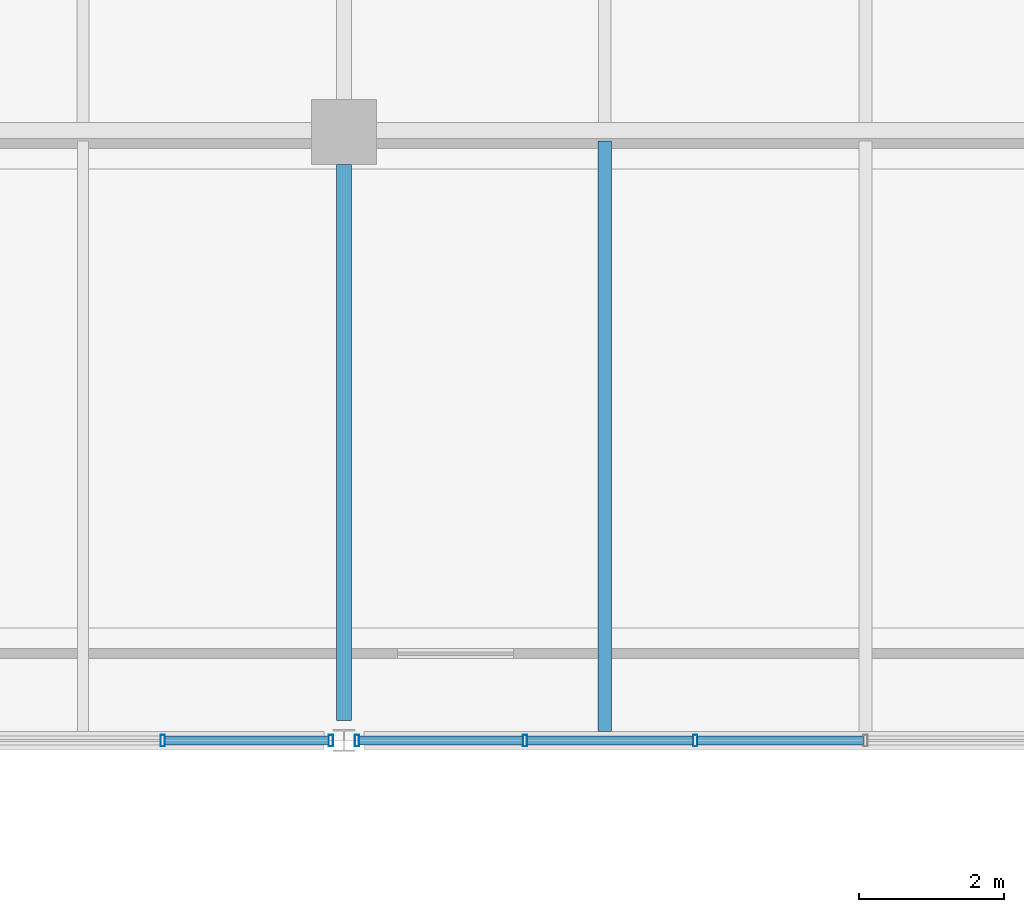
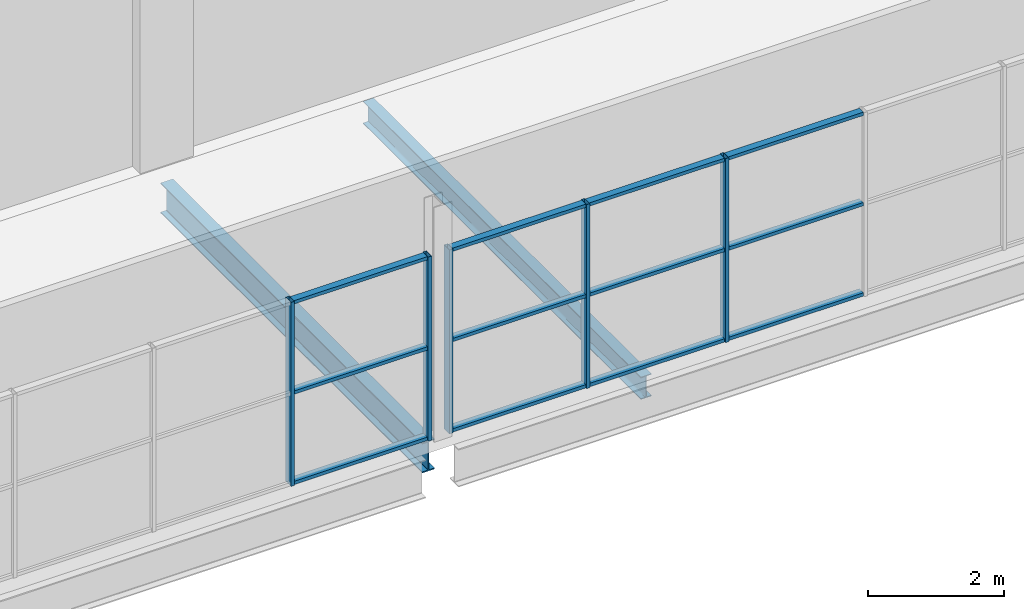
# One storey, part 35 of 161: 17 members, 2 beams, 2 elements without a shape of their own.
"""IFC4 building model written with IfcOpenShell, lengths in metres."""

from ifc_helpers import new_model, si_unit, direction, frame, origin, origin_2d, place, context, subcontext, project, spatial, hollow_rectangle, i_section, extrude, material, material_profile, profile_set, type_object, element, aggregate, save


model = new_model("IFC4")

# Units and contexts
model_context = context("Model", 3, precision=1e-05, world=origin(), true_north=direction((0.0, 1.0)))
body_context = subcontext(model_context, "Body", "Model", "MODEL_VIEW")
ifc_project = project(units=[si_unit("LENGTHUNIT", "METRE"), si_unit("AREAUNIT", "SQUARE_METRE"), si_unit("VOLUMEUNIT", "CUBIC_METRE"), si_unit("PLANEANGLEUNIT", "RADIAN"), si_unit("MASSUNIT", "GRAM", prefix="KILO"), si_unit("THERMODYNAMICTEMPERATUREUNIT", "KELVIN")], contexts=[model_context])

# Site, building, storey
site_placement = place(None, origin())
site = spatial("IfcSite", under=ifc_project, at=site_placement, CompositionType="ELEMENT")
building_placement = place(site_placement, origin())
building = spatial("IfcBuilding", under=site, at=building_placement, Name="Nduvali Passage Aquatics Centre", CompositionType="ELEMENT")
storey_placement = place(building_placement, frame((0.0, 0.0, 4.800048828125)))
storey = spatial("IfcBuildingStorey", under=building, at=storey_placement, Name="L01", CompositionType="ELEMENT", Elevation=4.800048828125)

# Curtain wall, members
ifc_material_1 = material(Name="Aluminium EN AW-6063 T6", Category="aluminium")
curtain_wall_type = type_object("IfcCurtainWallType", Name="ENV-CW-COUR", PredefinedType="NOTDEFINED", material=ifc_material_1)
curtain_wall_1_placement = place(storey_placement, origin())
curtain_wall_1 = element("IfcCurtainWall", 1, at=curtain_wall_1_placement, inside=storey, type_object=curtain_wall_type, Name="L01 Monsoon Courtyard Upper Cloister CW 164", PredefinedType="NOTDEFINED")
ifc_material_profile_1 = material_profile(ifc_material_1, hollow_rectangle(XDim=0.06005859375, YDim=0.159912109375, WallThickness=0.00390625, at=origin_2d()), Name="ALU MULLION 60x160x4")
ifc_profile_set_1 = profile_set([ifc_material_profile_1], Name="Aluminium EN AW-6063 T6")
member_type_1 = type_object("IfcMemberType", Name="ENV-MEM-MUL60", PredefinedType="MULLION", material=ifc_profile_set_1)
member_1_placement = place(storey_placement, frame((80.300048828125, 16.800048828125, 0.0), z_axis=(0.0, 0.0, 1.0), x_axis=(1.0, 0.0, 0.0)))
member_1 = element("IfcMember", 2, at=member_1_placement, type_object=member_type_1, Name="Monsoon Courtyard Upper Cloister CW Mullion 6", PredefinedType="MULLION", context=body_context, shape_type="SweptSolid", body=[
    extrude(hollow_rectangle(XDim=0.06005859375, YDim=0.159912109375, WallThickness=0.00390625, at=origin_2d()), origin(), (0.0, 0.0, 1.0), 3.29248046875),
])
member_2_placement = place(storey_placement, frame((82.6201171875, 16.800048828125, 0.0), z_axis=(0.0, 0.0, 1.0), x_axis=(1.0, 0.0, 0.0)))
member_2 = element("IfcMember", 3, at=member_2_placement, type_object=member_type_1, Name="Monsoon Courtyard Upper Cloister CW Mullion 7", PredefinedType="MULLION", context=body_context, shape_type="SweptSolid", body=[
    extrude(hollow_rectangle(XDim=0.06005859375, YDim=0.159912109375, WallThickness=0.00390625, at=origin_2d()), origin(), (0.0, 0.0, 1.0), 3.29248046875),
])

curtain_wall_2_placement = place(storey_placement, origin())
curtain_wall_2 = element("IfcCurtainWall", 4, at=curtain_wall_2_placement, inside=storey, type_object=curtain_wall_type, Name="L01 Monsoon Courtyard Upper Cloister CW 166", PredefinedType="NOTDEFINED")
member_3_placement = place(storey_placement, frame((82.97998046875, 16.800048828125, 0.0), z_axis=(0.0, 0.0, 1.0), x_axis=(1.0, 0.0, 0.0)))
member_3 = element("IfcMember", 5, at=member_3_placement, type_object=member_type_1, Name="Monsoon Courtyard Upper Cloister CW Mullion 1", PredefinedType="MULLION", context=body_context, shape_type="SweptSolid", body=[
    extrude(hollow_rectangle(XDim=0.06005859375, YDim=0.159912109375, WallThickness=0.00390625, at=origin_2d()), origin(), (0.0, 0.0, 1.0), 3.29248046875),
])
member_4_placement = place(storey_placement, frame((85.300048828125, 16.800048828125, 0.0), z_axis=(0.0, 0.0, 1.0), x_axis=(1.0, 0.0, 0.0)))
member_4 = element("IfcMember", 6, at=member_4_placement, type_object=member_type_1, Name="Monsoon Courtyard Upper Cloister CW Mullion 2", PredefinedType="MULLION", context=body_context, shape_type="SweptSolid", body=[
    extrude(hollow_rectangle(XDim=0.06005859375, YDim=0.159912109375, WallThickness=0.00390625, at=origin_2d()), origin(), (0.0, 0.0, 1.0), 3.29248046875),
])
member_5_placement = place(storey_placement, frame((87.64990234375, 16.800048828125, 0.0), z_axis=(0.0, 0.0, 1.0), x_axis=(1.0, 0.0, 0.0)))
member_5 = element("IfcMember", 7, at=member_5_placement, type_object=member_type_1, Name="Monsoon Courtyard Upper Cloister CW Mullion 3", PredefinedType="MULLION", context=body_context, shape_type="SweptSolid", body=[
    extrude(hollow_rectangle(XDim=0.06005859375, YDim=0.159912109375, WallThickness=0.00390625, at=origin_2d()), origin(), (0.0, 0.0, 1.0), 3.29248046875),
])

# Member
ifc_material_profile_2 = material_profile(ifc_material_1, hollow_rectangle(XDim=0.1201171875, YDim=0.06005859375, WallThickness=0.00390625, at=origin_2d()), Name="ALU TRANSOM 120x60x4")
ifc_profile_set_2 = profile_set([ifc_material_profile_2], Name="Aluminium EN AW-6063 T6")
member_type_2 = type_object("IfcMemberType", Name="ENV-MEM-TRN60", PredefinedType="USERDEFINED", material=ifc_profile_set_2)
member_6_placement = place(storey_placement, frame((80.330078125, 16.800048828125, 0.030029296875), z_axis=(1.0, 0.0, 0.0), x_axis=(0.0, 1.0, 0.0)))
member_6 = element("IfcMember", 8, at=member_6_placement, type_object=member_type_2, Name="Monsoon Courtyard Upper Cloister CW Transom B6-R0", ObjectType="TRANSOM", PredefinedType="USERDEFINED", context=body_context, shape_type="SweptSolid", body=[
    extrude(hollow_rectangle(XDim=0.1201171875, YDim=0.06005859375, WallThickness=0.00390625, at=origin_2d()), origin(), (0.0, 0.0, 1.0), 2.260009765625),
])

member_7_placement = place(storey_placement, frame((80.330078125, 16.800048828125, 1.646240234375), z_axis=(1.0, 0.0, 0.0), x_axis=(0.0, 1.0, 0.0)))
member_7 = element("IfcMember", 9, at=member_7_placement, type_object=member_type_2, Name="Monsoon Courtyard Upper Cloister CW Transom B6-R1", ObjectType="TRANSOM", PredefinedType="USERDEFINED", context=body_context, shape_type="SweptSolid", body=[
    extrude(hollow_rectangle(XDim=0.1201171875, YDim=0.06005859375, WallThickness=0.00390625, at=origin_2d()), origin(), (0.0, 0.0, 1.0), 2.260009765625),
])

member_8_placement = place(storey_placement, frame((80.330078125, 16.800048828125, 3.262451171875), z_axis=(1.0, 0.0, 0.0), x_axis=(0.0, 1.0, 0.0)))
member_8 = element("IfcMember", 10, at=member_8_placement, type_object=member_type_2, Name="Monsoon Courtyard Upper Cloister CW Transom B6-R2", ObjectType="TRANSOM", PredefinedType="USERDEFINED", context=body_context, shape_type="SweptSolid", body=[
    extrude(hollow_rectangle(XDim=0.1201171875, YDim=0.06005859375, WallThickness=0.00390625, at=origin_2d()), origin(), (0.0, 0.0, 1.0), 2.260009765625),
])

aggregate(curtain_wall_1, [member_1, member_2, member_6, member_7, member_8])

member_9_placement = place(storey_placement, frame((83.010009765625, 16.800048828125, 0.030029296875), z_axis=(1.0, 0.0, 0.0), x_axis=(0.0, 1.0, 0.0)))
member_9 = element("IfcMember", 11, at=member_9_placement, type_object=member_type_2, Name="Monsoon Courtyard Upper Cloister CW Transom B1-R0", ObjectType="TRANSOM", PredefinedType="USERDEFINED", context=body_context, shape_type="SweptSolid", body=[
    extrude(hollow_rectangle(XDim=0.1201171875, YDim=0.06005859375, WallThickness=0.00390625, at=origin_2d()), origin(), (0.0, 0.0, 1.0), 2.260009765625),
])

member_10_placement = place(storey_placement, frame((83.010009765625, 16.800048828125, 1.646240234375), z_axis=(1.0, 0.0, 0.0), x_axis=(0.0, 1.0, 0.0)))
member_10 = element("IfcMember", 12, at=member_10_placement, type_object=member_type_2, Name="Monsoon Courtyard Upper Cloister CW Transom B1-R1", ObjectType="TRANSOM", PredefinedType="USERDEFINED", context=body_context, shape_type="SweptSolid", body=[
    extrude(hollow_rectangle(XDim=0.1201171875, YDim=0.06005859375, WallThickness=0.00390625, at=origin_2d()), origin(), (0.0, 0.0, 1.0), 2.260009765625),
])

member_11_placement = place(storey_placement, frame((83.010009765625, 16.800048828125, 3.262451171875), z_axis=(1.0, 0.0, 0.0), x_axis=(0.0, 1.0, 0.0)))
member_11 = element("IfcMember", 13, at=member_11_placement, type_object=member_type_2, Name="Monsoon Courtyard Upper Cloister CW Transom B1-R2", ObjectType="TRANSOM", PredefinedType="USERDEFINED", context=body_context, shape_type="SweptSolid", body=[
    extrude(hollow_rectangle(XDim=0.1201171875, YDim=0.06005859375, WallThickness=0.00390625, at=origin_2d()), origin(), (0.0, 0.0, 1.0), 2.260009765625),
])

member_12_placement = place(storey_placement, frame((85.330078125, 16.800048828125, 0.030029296875), z_axis=(1.0, 0.0, 0.0), x_axis=(0.0, 1.0, 0.0)))
member_12 = element("IfcMember", 14, at=member_12_placement, type_object=member_type_2, Name="Monsoon Courtyard Upper Cloister CW Transom B2-R0", ObjectType="TRANSOM", PredefinedType="USERDEFINED", context=body_context, shape_type="SweptSolid", body=[
    extrude(hollow_rectangle(XDim=0.1201171875, YDim=0.06005859375, WallThickness=0.00390625, at=origin_2d()), origin(), (0.0, 0.0, 1.0), 2.2900390625),
])

member_13_placement = place(storey_placement, frame((85.330078125, 16.800048828125, 1.646240234375), z_axis=(1.0, 0.0, 0.0), x_axis=(0.0, 1.0, 0.0)))
member_13 = element("IfcMember", 15, at=member_13_placement, type_object=member_type_2, Name="Monsoon Courtyard Upper Cloister CW Transom B2-R1", ObjectType="TRANSOM", PredefinedType="USERDEFINED", context=body_context, shape_type="SweptSolid", body=[
    extrude(hollow_rectangle(XDim=0.1201171875, YDim=0.06005859375, WallThickness=0.00390625, at=origin_2d()), origin(), (0.0, 0.0, 1.0), 2.2900390625),
])

member_14_placement = place(storey_placement, frame((85.330078125, 16.800048828125, 3.262451171875), z_axis=(1.0, 0.0, 0.0), x_axis=(0.0, 1.0, 0.0)))
member_14 = element("IfcMember", 16, at=member_14_placement, type_object=member_type_2, Name="Monsoon Courtyard Upper Cloister CW Transom B2-R2", ObjectType="TRANSOM", PredefinedType="USERDEFINED", context=body_context, shape_type="SweptSolid", body=[
    extrude(hollow_rectangle(XDim=0.1201171875, YDim=0.06005859375, WallThickness=0.00390625, at=origin_2d()), origin(), (0.0, 0.0, 1.0), 2.2900390625),
])

member_15_placement = place(storey_placement, frame((87.679931640625, 16.800048828125, 0.030029296875), z_axis=(1.0, 0.0, 0.0), x_axis=(0.0, 1.0, 0.0)))
member_15 = element("IfcMember", 17, at=member_15_placement, type_object=member_type_2, Name="Monsoon Courtyard Upper Cloister CW Transom B3-R0", ObjectType="TRANSOM", PredefinedType="USERDEFINED", context=body_context, shape_type="SweptSolid", body=[
    extrude(hollow_rectangle(XDim=0.1201171875, YDim=0.06005859375, WallThickness=0.00390625, at=origin_2d()), origin(), (0.0, 0.0, 1.0), 2.2900390625),
])

member_16_placement = place(storey_placement, frame((87.679931640625, 16.800048828125, 1.646240234375), z_axis=(1.0, 0.0, 0.0), x_axis=(0.0, 1.0, 0.0)))
member_16 = element("IfcMember", 18, at=member_16_placement, type_object=member_type_2, Name="Monsoon Courtyard Upper Cloister CW Transom B3-R1", ObjectType="TRANSOM", PredefinedType="USERDEFINED", context=body_context, shape_type="SweptSolid", body=[
    extrude(hollow_rectangle(XDim=0.1201171875, YDim=0.06005859375, WallThickness=0.00390625, at=origin_2d()), origin(), (0.0, 0.0, 1.0), 2.2900390625),
])

member_17_placement = place(storey_placement, frame((87.679931640625, 16.800048828125, 3.262451171875), z_axis=(1.0, 0.0, 0.0), x_axis=(0.0, 1.0, 0.0)))
member_17 = element("IfcMember", 19, at=member_17_placement, type_object=member_type_2, Name="Monsoon Courtyard Upper Cloister CW Transom B3-R2", ObjectType="TRANSOM", PredefinedType="USERDEFINED", context=body_context, shape_type="SweptSolid", body=[
    extrude(hollow_rectangle(XDim=0.1201171875, YDim=0.06005859375, WallThickness=0.00390625, at=origin_2d()), origin(), (0.0, 0.0, 1.0), 2.2900390625),
])

aggregate(curtain_wall_2, [member_3, member_4, member_5, member_9, member_10, member_11, member_12, member_13, member_14, member_15, member_16, member_17])

# Beams
ifc_material_2 = material(Name="Steel S355", Category="steel")
ifc_material_profile_3 = material_profile(ifc_material_2, i_section(OverallWidth=0.210693359375, OverallDepth=0.53955078125, WebThickness=0.01171875, FlangeThickness=0.018798828125, FilletRadius=0.0126953125, at=origin_2d()), Name="UKB 533x210x109")
ifc_profile_set_3 = profile_set([ifc_material_profile_3], Name="Steel S355")
beam_type_1 = type_object("IfcBeamType", Name="STR-BM-UKB533", PredefinedType="BEAM", material=ifc_profile_set_3)
beam_1_placement = place(storey_placement, frame((82.800048828125, 17.074951171875, -0.553955078125), z_axis=(0.0, 1.0, 0.0), x_axis=(-1.0, 0.0, 0.0)))
element("IfcBeam", 20, at=beam_1_placement, inside=storey, type_object=beam_type_1, Name="L01 Primary Y-Girder B6-0600", PredefinedType="BEAM", context=body_context, shape_type="SweptSolid", body=[
    extrude(i_section(OverallWidth=0.210693359375, OverallDepth=0.53955078125, WebThickness=0.01171875, FlangeThickness=0.018798828125, FilletRadius=0.0126953125, at=origin_2d()), origin(), (0.0, 0.0, 1.0), 7.675048828125),
])
ifc_material_profile_4 = material_profile(ifc_material_2, i_section(OverallWidth=0.179931640625, OverallDepth=0.39990234375, WebThickness=0.008544921875, FlangeThickness=0.013427734375, FilletRadius=0.02099609375, at=origin_2d()), Name="IPE 400")
ifc_profile_set_4 = profile_set([ifc_material_profile_4], Name="Steel S355")
beam_type_2 = type_object("IfcBeamType", Name="STR-JST-IPE400", PredefinedType="JOIST", material=ifc_profile_set_4)
beam_2_placement = place(storey_placement, frame((86.39990234375, 16.9267578125, -0.484130859375), z_axis=(0.0, 1.0, 0.0), x_axis=(-1.0, 0.0, 0.0)))
element("IfcBeam", 21, at=beam_2_placement, inside=storey, type_object=beam_type_2, Name="L01 Secondary Joist J5-0719", PredefinedType="JOIST", context=body_context, shape_type="SweptSolid", body=[
    extrude(i_section(OverallWidth=0.179931640625, OverallDepth=0.39990234375, WebThickness=0.008544921875, FlangeThickness=0.013427734375, FilletRadius=0.02099609375, at=origin_2d()), origin(), (0.0, 0.0, 1.0), 8.146484375),
])

save(model, "model.ifc")
